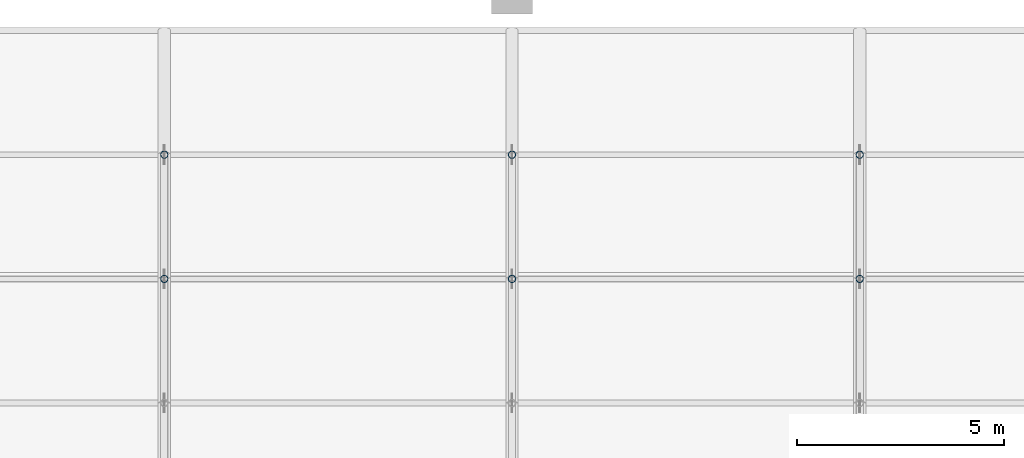
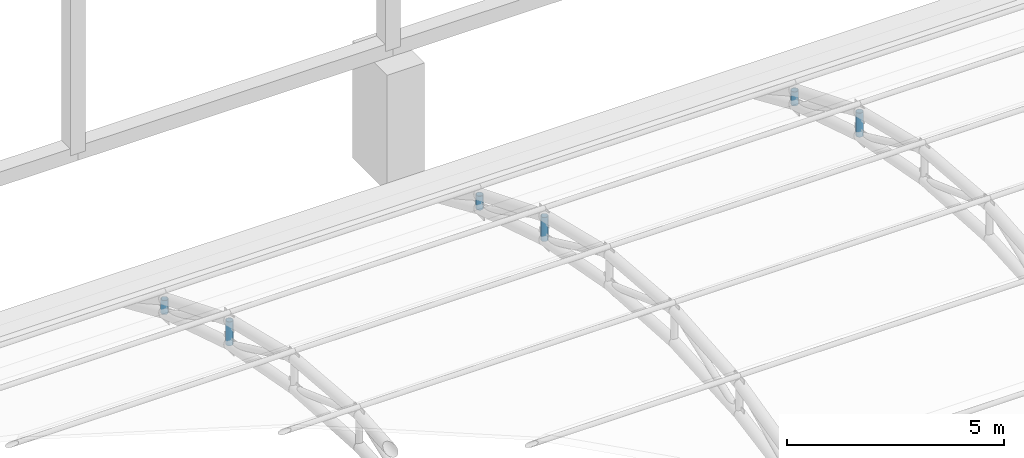
# One storey, part 86 of 163: 6 members.
"""IFC4 building model written with IfcOpenShell, lengths in metres."""

from ifc_helpers import new_model, si_unit, direction, frame, origin, origin_2d, place, context, subcontext, project, spatial, hollow_circle, extrude, material, material_profile, profile_set, type_object, element, save


model = new_model("IFC4")

# Units and contexts
model_context = context("Model", 3, precision=1e-05, world=origin(), true_north=direction((0.0, 1.0)))
body_context = subcontext(model_context, "Body", "Model", "MODEL_VIEW")
ifc_project = project(units=[si_unit("LENGTHUNIT", "METRE"), si_unit("AREAUNIT", "SQUARE_METRE"), si_unit("VOLUMEUNIT", "CUBIC_METRE"), si_unit("PLANEANGLEUNIT", "RADIAN"), si_unit("MASSUNIT", "GRAM", prefix="KILO")], contexts=[model_context])

# Site, building, storey
site_placement = place(None, origin())
site = spatial("IfcSite", under=ifc_project, at=site_placement, CompositionType="ELEMENT")
building_placement = place(site_placement, origin())
building = spatial("IfcBuilding", under=site, at=building_placement, Name="Rain Tree Exposition and Congress Centre", CompositionType="ELEMENT")
storey_placement = place(building_placement, frame((0.0, 0.0, 10.5)))
storey = spatial("IfcBuildingStorey", under=building, at=storey_placement, Name="L02", CompositionType="ELEMENT", Elevation=10.5)

# Members
ifc_material = material(Name="Steel S355J2H", Category="steel")
ifc_material_profile = material_profile(ifc_material, hollow_circle(Radius=0.090087890625, WallThickness=0.008056640625, at=origin_2d()), Name="CHS 180x8")
ifc_profile_set = profile_set([ifc_material_profile], Name="Steel S355J2H")
member_type = type_object("IfcMemberType", Name="Steel post member CHS 180x8", PredefinedType="POST", material=ifc_profile_set)
member_1_placement = place(storey_placement, frame((151.199951171875, 93.60009765625, 2.3798828125), z_axis=(0.0, 0.0, 1.0), x_axis=(1.0, 0.0, 0.0)))
element("IfcMember", 1, at=member_1_placement, inside=storey, type_object=member_type, Name="Roof truss 19 post 6", PredefinedType="POST", context=body_context, shape_type="SweptSolid", body=[
    extrude(hollow_circle(Radius=0.090087890625, WallThickness=0.008056640625, at=origin_2d()), origin(), (0.0, 0.0, 1.0), 0.675048828125),
])
member_2_placement = place(storey_placement, frame((151.199951171875, 96.60009765625, 1.4423828125), z_axis=(0.0, 0.0, 1.0), x_axis=(1.0, 0.0, 0.0)))
element("IfcMember", 2, at=member_2_placement, inside=storey, type_object=member_type, Name="Roof truss 19 post 7", PredefinedType="POST", context=body_context, shape_type="SweptSolid", body=[
    extrude(hollow_circle(Radius=0.090087890625, WallThickness=0.008056640625, at=origin_2d()), origin(), (0.0, 0.0, 1.0), 0.393798828125),
])
member_3_placement = place(storey_placement, frame((159.60009765625, 93.60009765625, 2.3798828125), z_axis=(0.0, 0.0, 1.0), x_axis=(1.0, 0.0, 0.0)))
element("IfcMember", 3, at=member_3_placement, inside=storey, type_object=member_type, Name="Roof truss 20 post 6", PredefinedType="POST", context=body_context, shape_type="SweptSolid", body=[
    extrude(hollow_circle(Radius=0.090087890625, WallThickness=0.008056640625, at=origin_2d()), origin(), (0.0, 0.0, 1.0), 0.675048828125),
])
member_4_placement = place(storey_placement, frame((159.60009765625, 96.60009765625, 1.4423828125), z_axis=(0.0, 0.0, 1.0), x_axis=(1.0, 0.0, 0.0)))
element("IfcMember", 4, at=member_4_placement, inside=storey, type_object=member_type, Name="Roof truss 20 post 7", PredefinedType="POST", context=body_context, shape_type="SweptSolid", body=[
    extrude(hollow_circle(Radius=0.090087890625, WallThickness=0.008056640625, at=origin_2d()), origin(), (0.0, 0.0, 1.0), 0.393798828125),
])
member_5_placement = place(storey_placement, frame((168.0, 93.60009765625, 2.3798828125), z_axis=(0.0, 0.0, 1.0), x_axis=(1.0, 0.0, 0.0)))
element("IfcMember", 5, at=member_5_placement, inside=storey, type_object=member_type, Name="Roof truss 21 post 6", PredefinedType="POST", context=body_context, shape_type="SweptSolid", body=[
    extrude(hollow_circle(Radius=0.090087890625, WallThickness=0.008056640625, at=origin_2d()), origin(), (0.0, 0.0, 1.0), 0.675048828125),
])
member_6_placement = place(storey_placement, frame((168.0, 96.60009765625, 1.4423828125), z_axis=(0.0, 0.0, 1.0), x_axis=(1.0, 0.0, 0.0)))
element("IfcMember", 6, at=member_6_placement, inside=storey, type_object=member_type, Name="Roof truss 21 post 7", PredefinedType="POST", context=body_context, shape_type="SweptSolid", body=[
    extrude(hollow_circle(Radius=0.090087890625, WallThickness=0.008056640625, at=origin_2d()), origin(), (0.0, 0.0, 1.0), 0.393798828125),
])

save(model, "model.ifc")
